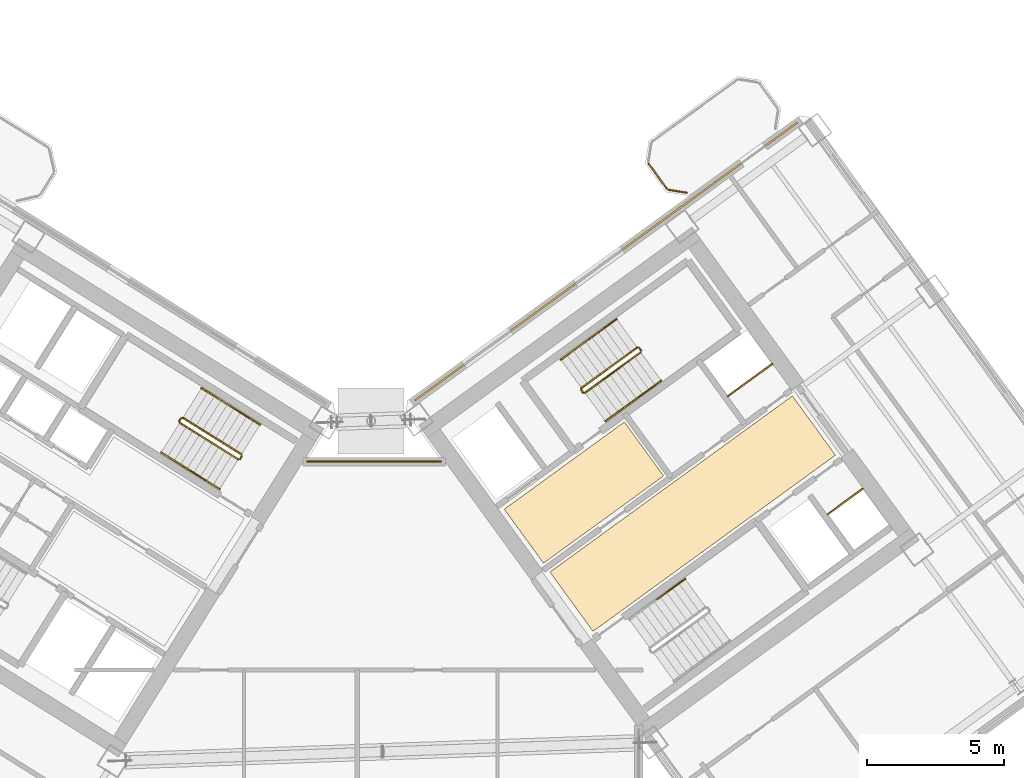
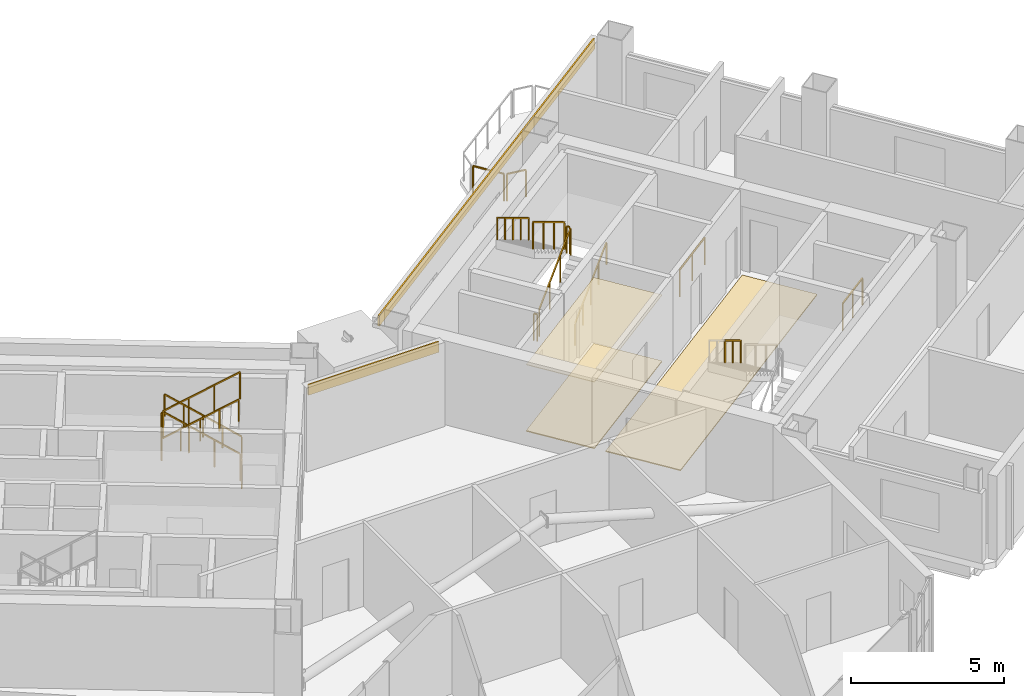
# One storey, part 28 of 29: 21 railings, 5 coverings.
"""IFC4 building model written with IfcOpenShell, lengths in metres."""

from ifc_helpers import new_model, si_unit, direction, frame, origin, origin_2d, place, context, subcontext, project, spatial, polyline, rectangle, outline, extrude, source, transform, mapped, material, layer, layer_set, type_object, element, save


model = new_model("IFC4")

# Units and contexts
model_context = context("Model", 3, precision=1e-05, world=origin(), true_north=direction((0.0, 1.0)))
body_context = subcontext(model_context, "Body", "Model", "MODEL_VIEW")
ifc_project = project(units=[si_unit("LENGTHUNIT", "METRE"), si_unit("AREAUNIT", "SQUARE_METRE"), si_unit("VOLUMEUNIT", "CUBIC_METRE"), si_unit("PLANEANGLEUNIT", "RADIAN"), si_unit("MASSUNIT", "GRAM", prefix="KILO")], contexts=[model_context])

# Site, building, storey
site_placement = place(None, origin())
site = spatial("IfcSite", under=ifc_project, at=site_placement, CompositionType="ELEMENT")
building_placement = place(site_placement, origin())
building = spatial("IfcBuilding", under=site, at=building_placement, Name="Tlacorven Tower", CompositionType="ELEMENT")
storey_placement = place(building_placement, frame((0.0, 0.0, 151.5)))
storey = spatial("IfcBuildingStorey", under=building, at=storey_placement, Name="L38", CompositionType="ELEMENT", Elevation=151.5)

# Coverings
ifc_material_1 = material(Name="Acoustic mineral-fibre ceiling")
ifc_layer_1 = layer(ifc_material_1, 0.02490234375)
ifc_layer_set_1 = layer_set([ifc_layer_1], Name="Acoustic mineral-fibre ceiling")
covering_type_1 = type_object("IfcCoveringType", Name="CV-CLG-ACST", PredefinedType="CEILING", material=ifc_layer_set_1)
covering_1_placement = place(storey_placement, frame((0.0, 0.0, 2.64990234375)))
element("IfcCovering", 1, at=covering_1_placement, inside=storey, type_object=covering_type_1, Name="L38 Acoustic Suspended Ceiling 3", PredefinedType="CEILING", context=body_context, shape_type="SweptSolid", body=[
    extrude(outline(polyline([(48.760498046875, 19.326171875), (47.326171875, 21.300048828125), (51.71923828125, 24.49169921875), (53.1533203125, 22.517822265625), (48.760498046875, 19.326171875)])), origin(), (0.0, 0.0, 1.0), 0.025146484375),
])
ifc_material_2 = material(Name="Terrazzo and ceramic flooring")
ifc_layer_2 = layer(ifc_material_2, 0.0400390625)
ifc_layer_set_2 = layer_set([ifc_layer_2], Name="Terrazzo and ceramic flooring")
covering_type_2 = type_object("IfcCoveringType", Name="CV-FLR-TERZ", PredefinedType="FLOORING", material=ifc_layer_set_2)
covering_2_placement = place(storey_placement, origin())
element("IfcCovering", 2, at=covering_2_placement, inside=storey, type_object=covering_type_2, Name="L38 Terrazzo Floor Finish 3", PredefinedType="FLOORING", context=body_context, shape_type="SweptSolid", body=[
    extrude(outline(polyline([(48.760498046875, 19.326171875), (47.326171875, 21.300048828125), (51.71923828125, 24.49169921875), (53.1533203125, 22.517822265625), (48.760498046875, 19.326171875)])), origin(), (0.0, 0.0, 1.0), 0.0400390625),
])
covering_3_placement = place(storey_placement, origin())
element("IfcCovering", 3, at=covering_3_placement, inside=storey, type_object=covering_type_2, Name="L38 Terrazzo Floor Finish 4", PredefinedType="FLOORING", context=body_context, shape_type="SweptSolid", body=[
    extrude(outline(polyline([(50.57080078125, 16.834228515625), (48.99560546875, 19.00244140625), (57.8623046875, 25.444580078125), (59.437744140625, 23.2763671875), (50.57080078125, 16.834228515625)])), origin(), (0.0, 0.0, 1.0), 0.0400390625),
])

# Railings
ifc_material_3 = material(Name="Aluminium and painted steel balustrade", Category="steel")
railing_type_1 = type_object("IfcRailingType", Name="RL-GRD-1100", PredefinedType="GUARDRAIL", material=ifc_material_3)
shared_shape_1 = source(origin(), body_context, "Body", "SweptSolid", [
    extrude(rectangle(XDim=0.048095703125, YDim=0.048095703125, at=origin_2d()), frame((0.0, 0.0, 1.076171875), z_axis=(0.808947177504, 0.587881334972, 0.0), x_axis=(-0.587881334972, 0.808947177504, 0.0)), (0.0, 0.0, 1.0), 2.0),
    extrude(rectangle(XDim=0.0419921875, YDim=0.0419921875, at=origin_2d()), origin(), (0.0, 0.0, 1.0), 1.052001953125),
    extrude(rectangle(XDim=0.0419921875, YDim=0.0419921875, at=origin_2d()), frame((0.80908203125, 0.587890625, 0.0)), (0.0, 0.0, 1.0), 1.052001953125),
    extrude(rectangle(XDim=0.0419921875, YDim=0.0419921875, at=origin_2d()), frame((1.617919921875, 1.17578125, 0.0)), (0.0, 0.0, 1.0), 1.052001953125),
])
railing_1_placement = place(storey_placement, frame((55.506103515625, 25.438232421875, 0.0)))
element("IfcRailing", 4, at=railing_1_placement, inside=storey, type_object=railing_type_1, Name="L38 Electrical Riser E Shaft Guard 1", PredefinedType="GUARDRAIL", context=body_context, shape_type="MappedRepresentation", body=[
    mapped(shared_shape_1, transform((0.0, 0.0, 0.0), scale=1.0)),
])
shared_shape_2 = source(origin(), body_context, "Body", "SweptSolid", [
    extrude(rectangle(XDim=0.048095703125, YDim=0.048095703125, at=origin_2d()), frame((0.0, 0.0, 1.076171875), z_axis=(0.809029975545, 0.58776738483, 0.0), x_axis=(-0.58776738483, 0.809029975545, 0.0)), (0.0, 0.0, 1.0), 1.580078125),
    extrude(rectangle(XDim=0.0419921875, YDim=0.0419921875, at=origin_2d()), origin(), (0.0, 0.0, 1.0), 1.052001953125),
    extrude(rectangle(XDim=0.0419921875, YDim=0.0419921875, at=origin_2d()), frame((0.63916015625, 0.46435546875, 0.0)), (0.0, 0.0, 1.0), 1.052001953125),
    extrude(rectangle(XDim=0.0419921875, YDim=0.0419921875, at=origin_2d()), frame((1.2783203125, 0.9287109375, 0.0)), (0.0, 0.0, 1.0), 1.052001953125),
])
railing_2_placement = place(storey_placement, frame((59.160888671875, 21.122314453125, 0.0)))
element("IfcRailing", 5, at=railing_2_placement, inside=storey, type_object=railing_type_1, Name="L38 Smoke Riser E Shaft Guard 1", PredefinedType="GUARDRAIL", context=body_context, shape_type="MappedRepresentation", body=[
    mapped(shared_shape_2, transform((0.0, 0.0, 0.0), scale=1.0)),
])
railing_type_2 = type_object("IfcRailingType", Name="RL-BAL-1100", PredefinedType="BALUSTRADE", material=ifc_material_3)
shared_shape_3 = source(origin(), body_context, "Body", "SweptSolid", [
    extrude(rectangle(XDim=0.048095703125, YDim=0.048095703125, at=origin_2d()), frame((0.0, 0.0, 1.076171875), z_axis=(-0.987718317463, 0.156245081039, 0.0), x_axis=(-0.156245081039, -0.987718317463, 0.0)), (0.0, 0.0, 1.0), 0.66552734375),
    extrude(rectangle(XDim=0.0419921875, YDim=0.0419921875, at=origin_2d()), origin(), (0.0, 0.0, 1.0), 1.052001953125),
    extrude(rectangle(XDim=0.0419921875, YDim=0.0419921875, at=origin_2d()), frame((-0.657470703125, 0.10400390625, 0.0)), (0.0, 0.0, 1.0), 1.052001953125),
])
railing_3_placement = place(storey_placement, frame((54.00341796875, 32.8759765625, 0.0)))
element("IfcRailing", 6, at=railing_3_placement, inside=storey, type_object=railing_type_2, Name="BAL-L38-E-IN Guard Railing 1", PredefinedType="BALUSTRADE", context=body_context, shape_type="MappedRepresentation", body=[
    mapped(shared_shape_3, transform((0.0, 0.0, 0.0), scale=1.0)),
])
shared_shape_4 = source(origin(), body_context, "Body", "SweptSolid", [
    extrude(rectangle(XDim=0.048095703125, YDim=0.048095703125, at=origin_2d()), frame((0.0, 0.0, 1.076171875), z_axis=(-0.587740817519, 0.809049276263, 0.0), x_axis=(-0.809049276263, -0.587740817519, 0.0)), (0.0, 0.0, 1.0), 1.112060546875),
    extrude(rectangle(XDim=0.0419921875, YDim=0.0419921875, at=origin_2d()), origin(), (0.0, 0.0, 1.0), 1.052001953125),
    extrude(rectangle(XDim=0.0419921875, YDim=0.0419921875, at=origin_2d()), frame((-0.653564453125, 0.899658203125, 0.0)), (0.0, 0.0, 1.0), 1.052001953125),
])
railing_4_placement = place(storey_placement, frame((53.26708984375, 33.0283203125, 0.0)))
element("IfcRailing", 7, at=railing_4_placement, inside=storey, type_object=railing_type_2, Name="BAL-L38-E-IN Guard Railing 2", PredefinedType="BALUSTRADE", context=body_context, shape_type="MappedRepresentation", body=[
    mapped(shared_shape_4, transform((0.0, 0.0, 0.0), scale=1.0)),
])

# Coverings
ifc_material_4 = material(Name="Precast concrete C45/55", Category="concrete")
ifc_layer_3 = layer(ifc_material_4, 0.06005859375)
ifc_layer_set_3 = layer_set([ifc_layer_3], Name="Precast concrete C45/55")
covering_type_3 = type_object("IfcCoveringType", Name="CV-CLD-TERC", PredefinedType="CLADDING", material=ifc_layer_set_3)
shared_shape_5 = source(origin(), body_context, "Body", "SweptSolid", [
    extrude(rectangle(XDim=17.287353515625, YDim=0.06005859375, at=origin_2d()), origin(), (0.0, 0.0, 1.0), 0.419921875),
])
covering_4_placement = place(storey_placement, frame((51.05224609375, 30.360595703125, 2.929931640625), z_axis=(0.0, 0.0, 1.0), x_axis=(0.809017097486, 0.587785110372, 0.0)))
element("IfcCovering", 8, at=covering_4_placement, inside=storey, type_object=covering_type_3, Name="L38 Masonry-Frame Spandrel Cladding 5", PredefinedType="CLADDING", context=body_context, shape_type="MappedRepresentation", body=[
    mapped(shared_shape_5, transform((0.0, 0.0, 0.0), scale=1.0)),
])
shared_shape_6 = source(origin(), body_context, "Body", "SweptSolid", [
    extrude(rectangle(XDim=4.910888671875, YDim=0.06005859375, at=origin_2d()), origin(), (0.0, 0.0, 1.0), 0.419921875),
])
covering_5_placement = place(storey_placement, frame((42.566650390625, 23.0400390625, 2.929931640625), z_axis=(0.0, 0.0, 1.0), x_axis=(1.0, 0.0, 0.0)))
element("IfcCovering", 9, at=covering_5_placement, inside=storey, type_object=covering_type_3, Name="L38 Masonry-Frame Spandrel Cladding 4", PredefinedType="CLADDING", context=body_context, shape_type="MappedRepresentation", body=[
    mapped(shared_shape_6, transform((0.0, 0.0, 0.0), scale=1.0)),
])

# Railings
shared_shape_7 = source(origin(), body_context, "Body", "SweptSolid", [
    extrude(rectangle(XDim=0.048095703125, YDim=0.048095703125, at=origin_2d()), frame((0.0, 0.0, 1.076171875), z_axis=(-0.713319727316, 0.445773895627, 0.540796265334), x_axis=(-0.529955395941, -0.84802551749, 0.0)), (0.0, 0.0, 1.0), 2.995849609375),
    extrude(rectangle(XDim=0.0419921875, YDim=0.0419921875, at=origin_2d()), origin(), (0.0, 0.0, 1.0), 1.052001953125),
    extrude(rectangle(XDim=0.0419921875, YDim=0.0419921875, at=origin_2d()), frame((-0.71240234375, 0.445068359375, 0.5400390625)), (0.0, 0.0, 1.0), 1.052001953125),
    extrude(rectangle(XDim=0.0419921875, YDim=0.0419921875, at=origin_2d()), frame((-1.424560546875, 0.890380859375, 1.080078125)), (0.0, 0.0, 1.0), 1.052001953125),
    extrude(rectangle(XDim=0.0419921875, YDim=0.0419921875, at=origin_2d()), frame((-2.136962890625, 1.33544921875, 1.6201171875)), (0.0, 0.0, 1.0), 1.052001953125),
])
railing_5_placement = place(storey_placement, frame((37.712158203125, 23.3095703125, 0.179931640625)))
element("IfcRailing", 10, at=railing_5_placement, inside=storey, type_object=railing_type_1, Name="L38 ST-W2 stair guard 1", PredefinedType="GUARDRAIL", context=body_context, shape_type="MappedRepresentation", body=[
    mapped(shared_shape_7, transform((0.0, 0.0, 0.0), scale=1.0)),
])
shared_shape_8 = source(origin(), body_context, "Body", "SweptSolid", [
    extrude(rectangle(XDim=0.048095703125, YDim=0.048095703125, at=origin_2d()), frame((0.0, 0.0, 1.076171875), z_axis=(-0.530546985787, -0.847655529016, 0.0), x_axis=(0.847655529016, -0.530546985787, 0.0)), (0.0, 0.0, 1.0), 0.1201171875),
    extrude(rectangle(XDim=0.0419921875, YDim=0.0419921875, at=origin_2d()), origin(), (0.0, 0.0, 1.0), 1.052001953125),
    extrude(rectangle(XDim=0.0419921875, YDim=0.0419921875, at=origin_2d()), frame((-0.063720703125, -0.101806640625, 0.0)), (0.0, 0.0, 1.0), 1.052001953125),
])
railing_6_placement = place(storey_placement, frame((37.728271484375, 23.24072265625, 0.0)))
element("IfcRailing", 11, at=railing_6_placement, inside=storey, type_object=railing_type_1, Name="L38 ST-W2 stair guard 4", PredefinedType="GUARDRAIL", context=body_context, shape_type="MappedRepresentation", body=[
    mapped(shared_shape_8, transform((0.0, 0.0, 0.0), scale=1.0)),
])
railing_type_3 = type_object("IfcRailingType", Name="RL-HND-0900", PredefinedType="HANDRAIL", material=ifc_material_3)
shared_shape_9 = source(origin(), body_context, "Body", "SweptSolid", [
    extrude(rectangle(XDim=0.048095703125, YDim=0.048095703125, at=origin_2d()), frame((0.0, 0.0, 0.8759765625), z_axis=(-0.713359751793, 0.4457479829, 0.540764828981), x_axis=(-0.529911857636, -0.848052724267, 0.0)), (0.0, 0.0, 1.0), 1.498046875),
    extrude(rectangle(XDim=0.0419921875, YDim=0.0419921875, at=origin_2d()), origin(), (0.0, 0.0, 1.0), 0.851806640625),
    extrude(rectangle(XDim=0.0419921875, YDim=0.0419921875, at=origin_2d()), frame((-0.5341796875, 0.333984375, 0.405029296875)), (0.0, 0.0, 1.0), 0.851806640625),
    extrude(rectangle(XDim=0.0419921875, YDim=0.0419921875, at=origin_2d()), frame((-1.068603515625, 0.667724609375, 0.81005859375)), (0.0, 0.0, 1.0), 0.851806640625),
])
for number, where, name in (
    (12, (38.390625, 24.39501953125, 0.179931640625), "L38 ST-W2 stair handrail 1"),
    (13, (37.322021484375, 25.062744140625, 0.989990234375), "L38 ST-W2 stair handrail 2"),
):
    element("IfcRailing", number, at=place(storey_placement, frame(where)), inside=storey, type_object=railing_type_3, Name=name, PredefinedType="HANDRAIL", context=body_context, shape_type="MappedRepresentation", body=[
        mapped(shared_shape_9, transform((0.0, 0.0, 0.0), scale=1.0)),
    ])
shared_shape_10 = source(origin(), body_context, "Body", "SweptSolid", [
    extrude(rectangle(XDim=0.048095703125, YDim=0.048095703125, at=origin_2d()), frame((0.0, 0.0, 0.8759765625), z_axis=(0.713359751793, -0.4457479829, 0.540764828981), x_axis=(0.529911857636, 0.848052724267, 0.0)), (0.0, 0.0, 1.0), 1.498046875),
    extrude(rectangle(XDim=0.0419921875, YDim=0.0419921875, at=origin_2d()), origin(), (0.0, 0.0, 1.0), 0.851806640625),
    extrude(rectangle(XDim=0.0419921875, YDim=0.0419921875, at=origin_2d()), frame((0.5341796875, -0.333984375, 0.405029296875)), (0.0, 0.0, 1.0), 0.851806640625),
    extrude(rectangle(XDim=0.0419921875, YDim=0.0419921875, at=origin_2d()), frame((1.068603515625, -0.667724609375, 0.81005859375)), (0.0, 0.0, 1.0), 0.851806640625),
])
for number, where, name in (
    (14, (34.7802734375, 23.372802734375, 1.97998046875), "L38 ST-W2 stair handrail 3"),
    (15, (35.848876953125, 22.705078125, 2.7900390625), "L38 ST-W2 stair handrail 4"),
):
    element("IfcRailing", number, at=place(storey_placement, frame(where)), inside=storey, type_object=railing_type_3, Name=name, PredefinedType="HANDRAIL", context=body_context, shape_type="MappedRepresentation", body=[
        mapped(shared_shape_10, transform((0.0, 0.0, 0.0), scale=1.0)),
    ])
shared_shape_11 = source(origin(), body_context, "Body", "SweptSolid", [
    extrude(rectangle(XDim=0.048095703125, YDim=0.048095703125, at=origin_2d()), frame((0.0, 0.0, 1.076171875), z_axis=(-0.531462422766, -0.847081869236, 0.0), x_axis=(0.847081869236, -0.531462422766, 0.0)), (0.0, 0.0, 1.0), 0.119873046875),
    extrude(rectangle(XDim=0.0419921875, YDim=0.0419921875, at=origin_2d()), origin(), (0.0, 0.0, 1.0), 1.052001953125),
    extrude(rectangle(XDim=0.0419921875, YDim=0.0419921875, at=origin_2d()), frame((-0.063720703125, -0.1015625, 0.0)), (0.0, 0.0, 1.0), 1.052001953125),
])
railing_7_placement = place(storey_placement, frame((35.50634765625, 24.62890625, 1.800048828125)))
element("IfcRailing", 16, at=railing_7_placement, inside=storey, type_object=railing_type_1, Name="L38 ST-W2 stair guard 2", PredefinedType="GUARDRAIL", context=body_context, shape_type="MappedRepresentation", body=[
    mapped(shared_shape_11, transform((0.0, 0.0, 0.0), scale=1.0)),
])
shared_shape_12 = source(origin(), body_context, "Body", "SweptSolid", [
    extrude(rectangle(XDim=0.048095703125, YDim=0.048095703125, at=origin_2d()), frame((0.0, 0.0, 1.076171875), z_axis=(0.713385662783, -0.445682681033, 0.540784470897), x_axis=(0.52984217967, 0.848096259066, 0.0)), (0.0, 0.0, 1.0), 2.995849609375),
    extrude(rectangle(XDim=0.0419921875, YDim=0.0419921875, at=origin_2d()), origin(), (0.0, 0.0, 1.0), 1.052001953125),
    extrude(rectangle(XDim=0.0419921875, YDim=0.0419921875, at=origin_2d()), frame((0.71240234375, -0.445068359375, 0.5400390625)), (0.0, 0.0, 1.0), 1.052001953125),
    extrude(rectangle(XDim=0.0419921875, YDim=0.0419921875, at=origin_2d()), frame((1.4248046875, -0.89013671875, 1.080078125)), (0.0, 0.0, 1.0), 1.052001953125),
    extrude(rectangle(XDim=0.0419921875, YDim=0.0419921875, at=origin_2d()), frame((2.13720703125, -1.335205078125, 1.6201171875)), (0.0, 0.0, 1.0), 1.052001953125),
])
railing_8_placement = place(storey_placement, frame((35.45849609375, 24.458251953125, 1.97998046875)))
element("IfcRailing", 17, at=railing_8_placement, inside=storey, type_object=railing_type_1, Name="L38 ST-W2 stair guard 3", PredefinedType="GUARDRAIL", context=body_context, shape_type="MappedRepresentation", body=[
    mapped(shared_shape_12, transform((0.0, 0.0, 0.0), scale=1.0)),
])
shared_shape_13 = source(origin(), body_context, "Body", "SweptSolid", [
    extrude(rectangle(XDim=0.048095703125, YDim=0.048095703125, at=origin_2d()), frame((0.0, 0.0, 1.076171875), z_axis=(-0.587201422542, 0.809440849824, 0.0), x_axis=(-0.809440849824, -0.587201422542, 0.0)), (0.0, 0.0, 1.0), 0.11962890625),
    extrude(rectangle(XDim=0.0419921875, YDim=0.0419921875, at=origin_2d()), origin(), (0.0, 0.0, 1.0), 1.052001953125),
    extrude(rectangle(XDim=0.0419921875, YDim=0.0419921875, at=origin_2d()), frame((-0.0703125, 0.096923828125, 0.0)), (0.0, 0.0, 1.0), 1.052001953125),
])
for number, where, name in (
    (18, (52.326904296875, 27.10888671875, 1.800048828125), "L38 ST-E1 stair guard 2"),
    (19, (50.207275390625, 25.56884765625, 0.0), "L38 ST-E1 stair guard 4"),
):
    element("IfcRailing", number, at=place(storey_placement, frame(where)), inside=storey, type_object=railing_type_1, Name=name, PredefinedType="GUARDRAIL", context=body_context, shape_type="MappedRepresentation", body=[
        mapped(shared_shape_13, transform((0.0, 0.0, 0.0), scale=1.0)),
    ])
shared_shape_14 = source(origin(), body_context, "Body", "SweptSolid", [
    extrude(rectangle(XDim=0.048095703125, YDim=0.048095703125, at=origin_2d()), frame((0.0, 0.0, 1.076171875), z_axis=(0.680488636597, 0.494434078831, 0.540805100894), x_axis=(-0.5878087079, 0.808999952359, 0.0)), (0.0, 0.0, 1.0), 2.995849609375),
    extrude(rectangle(XDim=0.0419921875, YDim=0.0419921875, at=origin_2d()), origin(), (0.0, 0.0, 1.0), 1.052001953125),
    extrude(rectangle(XDim=0.0419921875, YDim=0.0419921875, at=origin_2d()), frame((0.679443359375, 0.49365234375, 0.5400390625)), (0.0, 0.0, 1.0), 1.052001953125),
    extrude(rectangle(XDim=0.0419921875, YDim=0.0419921875, at=origin_2d()), frame((1.359130859375, 0.987548828125, 1.080078125)), (0.0, 0.0, 1.0), 1.052001953125),
    extrude(rectangle(XDim=0.0419921875, YDim=0.0419921875, at=origin_2d()), frame((2.03857421875, 1.481201171875, 1.6201171875)), (0.0, 0.0, 1.0), 1.052001953125),
])
railing_9_placement = place(storey_placement, frame((50.27734375, 25.557861328125, 0.179931640625)))
element("IfcRailing", 20, at=railing_9_placement, inside=storey, type_object=railing_type_1, Name="L38 ST-E1 stair guard 1", PredefinedType="GUARDRAIL", context=body_context, shape_type="MappedRepresentation", body=[
    mapped(shared_shape_14, transform((0.0, 0.0, 0.0), scale=1.0)),
])
shared_shape_15 = source(origin(), body_context, "Body", "SweptSolid", [
    extrude(rectangle(XDim=0.048095703125, YDim=0.048095703125, at=origin_2d()), frame((0.0, 0.0, 1.076171875), z_axis=(-0.680488636597, -0.494434078831, 0.540805100894), x_axis=(0.5878087079, -0.808999952359, 0.0)), (0.0, 0.0, 1.0), 2.995849609375),
    extrude(rectangle(XDim=0.0419921875, YDim=0.0419921875, at=origin_2d()), origin(), (0.0, 0.0, 1.0), 1.052001953125),
    extrude(rectangle(XDim=0.0419921875, YDim=0.0419921875, at=origin_2d()), frame((-0.679443359375, -0.49365234375, 0.5400390625)), (0.0, 0.0, 1.0), 1.052001953125),
    extrude(rectangle(XDim=0.0419921875, YDim=0.0419921875, at=origin_2d()), frame((-1.359130859375, -0.987548828125, 1.080078125)), (0.0, 0.0, 1.0), 1.052001953125),
    extrude(rectangle(XDim=0.0419921875, YDim=0.0419921875, at=origin_2d()), frame((-2.03857421875, -1.481201171875, 1.6201171875)), (0.0, 0.0, 1.0), 1.052001953125),
])
railing_10_placement = place(storey_placement, frame((52.1865234375, 27.217041015625, 1.97998046875)))
element("IfcRailing", 21, at=railing_10_placement, inside=storey, type_object=railing_type_1, Name="L38 ST-E1 stair guard 3", PredefinedType="GUARDRAIL", context=body_context, shape_type="MappedRepresentation", body=[
    mapped(shared_shape_15, transform((0.0, 0.0, 0.0), scale=1.0)),
])
shared_shape_16 = source(origin(), body_context, "Body", "SweptSolid", [
    extrude(rectangle(XDim=0.048095703125, YDim=0.048095703125, at=origin_2d()), frame((0.0, 0.0, 0.8759765625), z_axis=(0.680516055757, 0.494372502302, 0.540826891737), x_axis=(-0.587745292299, 0.809046025502, 0.0)), (0.0, 0.0, 1.0), 1.497802734375),
    extrude(rectangle(XDim=0.0419921875, YDim=0.0419921875, at=origin_2d()), origin(), (0.0, 0.0, 1.0), 0.851806640625),
    extrude(rectangle(XDim=0.0419921875, YDim=0.0419921875, at=origin_2d()), frame((0.509765625, 0.3701171875, 0.405029296875)), (0.0, 0.0, 1.0), 0.851806640625),
    extrude(rectangle(XDim=0.0419921875, YDim=0.0419921875, at=origin_2d()), frame((1.019287109375, 0.740478515625, 0.81005859375)), (0.0, 0.0, 1.0), 0.851806640625),
])
railing_11_placement = place(storey_placement, frame((51.029541015625, 24.522216796875, 0.179931640625)))
element("IfcRailing", 22, at=railing_11_placement, inside=storey, type_object=railing_type_3, Name="L38 ST-E1 stair handrail 1", PredefinedType="HANDRAIL", context=body_context, shape_type="MappedRepresentation", body=[
    mapped(shared_shape_16, transform((0.0, 0.0, 0.0), scale=1.0)),
])
shared_shape_17 = source(origin(), body_context, "Body", "SweptSolid", [
    extrude(rectangle(XDim=0.048095703125, YDim=0.048095703125, at=origin_2d()), frame((0.0, 0.0, 0.8759765625), z_axis=(0.680548719995, 0.49444080854, 0.540723336433), x_axis=(-0.587779977844, 0.80902082646, 0.0)), (0.0, 0.0, 1.0), 1.498046875),
    extrude(rectangle(XDim=0.0419921875, YDim=0.0419921875, at=origin_2d()), origin(), (0.0, 0.0, 1.0), 0.851806640625),
    extrude(rectangle(XDim=0.0419921875, YDim=0.0419921875, at=origin_2d()), frame((0.509765625, 0.370361328125, 0.405029296875)), (0.0, 0.0, 1.0), 0.851806640625),
    extrude(rectangle(XDim=0.0419921875, YDim=0.0419921875, at=origin_2d()), frame((1.01953125, 0.74072265625, 0.81005859375)), (0.0, 0.0, 1.0), 0.851806640625),
])
railing_12_placement = place(storey_placement, frame((52.048828125, 25.2626953125, 0.989990234375)))
element("IfcRailing", 23, at=railing_12_placement, inside=storey, type_object=railing_type_3, Name="L38 ST-E1 stair handrail 2", PredefinedType="HANDRAIL", context=body_context, shape_type="MappedRepresentation", body=[
    mapped(shared_shape_17, transform((0.0, 0.0, 0.0), scale=1.0)),
])
shared_shape_18 = source(origin(), body_context, "Body", "SweptSolid", [
    extrude(rectangle(XDim=0.048095703125, YDim=0.048095703125, at=origin_2d()), frame((0.0, 0.0, 0.8759765625), z_axis=(-0.680603554404, -0.494317667746, 0.540766904577), x_axis=(0.587653156371, -0.809112951205, 0.0)), (0.0, 0.0, 1.0), 1.498046875),
    extrude(rectangle(XDim=0.0419921875, YDim=0.0419921875, at=origin_2d()), origin(), (0.0, 0.0, 1.0), 0.851806640625),
    extrude(rectangle(XDim=0.0419921875, YDim=0.0419921875, at=origin_2d()), frame((-0.509765625, -0.3701171875, 0.405029296875)), (0.0, 0.0, 1.0), 0.851806640625),
    extrude(rectangle(XDim=0.0419921875, YDim=0.0419921875, at=origin_2d()), frame((-1.01953125, -0.740478515625, 0.81005859375)), (0.0, 0.0, 1.0), 0.851806640625),
])
railing_13_placement = place(storey_placement, frame((51.434326171875, 28.25244140625, 1.97998046875)))
element("IfcRailing", 24, at=railing_13_placement, inside=storey, type_object=railing_type_3, Name="L38 ST-E1 stair handrail 3", PredefinedType="HANDRAIL", context=body_context, shape_type="MappedRepresentation", body=[
    mapped(shared_shape_18, transform((0.0, 0.0, 0.0), scale=1.0)),
])
shared_shape_19 = source(origin(), body_context, "Body", "SweptSolid", [
    extrude(rectangle(XDim=0.048095703125, YDim=0.048095703125, at=origin_2d()), frame((0.0, 0.0, 0.8759765625), z_axis=(-0.680461216233, -0.494495647917, 0.540783309093), x_axis=(0.587872112667, -0.808953879494, 0.0)), (0.0, 0.0, 1.0), 1.498046875),
    extrude(rectangle(XDim=0.0419921875, YDim=0.0419921875, at=origin_2d()), origin(), (0.0, 0.0, 1.0), 0.851806640625),
    extrude(rectangle(XDim=0.0419921875, YDim=0.0419921875, at=origin_2d()), frame((-0.509765625, -0.370361328125, 0.405029296875)), (0.0, 0.0, 1.0), 0.851806640625),
    extrude(rectangle(XDim=0.0419921875, YDim=0.0419921875, at=origin_2d()), frame((-1.019287109375, -0.74072265625, 0.81005859375)), (0.0, 0.0, 1.0), 0.851806640625),
])
railing_14_placement = place(storey_placement, frame((50.414794921875, 27.511962890625, 2.7900390625)))
element("IfcRailing", 25, at=railing_14_placement, inside=storey, type_object=railing_type_3, Name="L38 ST-E1 stair handrail 4", PredefinedType="HANDRAIL", context=body_context, shape_type="MappedRepresentation", body=[
    mapped(shared_shape_19, transform((0.0, 0.0, 0.0), scale=1.0)),
])
shared_shape_20 = source(origin(), body_context, "Body", "SweptSolid", [
    extrude(rectangle(XDim=0.048095703125, YDim=0.048095703125, at=origin_2d()), frame((0.0, 0.0, 0.8759765625), z_axis=(-0.680516055757, -0.494372502302, 0.540826891737), x_axis=(0.587745292299, -0.809046025502, 0.0)), (0.0, 0.0, 1.0), 1.497802734375),
    extrude(rectangle(XDim=0.0419921875, YDim=0.0419921875, at=origin_2d()), origin(), (0.0, 0.0, 1.0), 0.851806640625),
    extrude(rectangle(XDim=0.0419921875, YDim=0.0419921875, at=origin_2d()), frame((-0.509765625, -0.3701171875, 0.405029296875)), (0.0, 0.0, 1.0), 0.851806640625),
    extrude(rectangle(XDim=0.0419921875, YDim=0.0419921875, at=origin_2d()), frame((-1.019287109375, -0.740478515625, 0.81005859375)), (0.0, 0.0, 1.0), 0.851806640625),
])
railing_15_placement = place(storey_placement, frame((53.938232421875, 18.749267578125, 1.97998046875)))
element("IfcRailing", 26, at=railing_15_placement, inside=storey, type_object=railing_type_3, Name="L38 ST-E2 stair handrail 3", PredefinedType="HANDRAIL", context=body_context, shape_type="MappedRepresentation", body=[
    mapped(shared_shape_20, transform((0.0, 0.0, 0.0), scale=1.0)),
])

save(model, "model.ifc")
